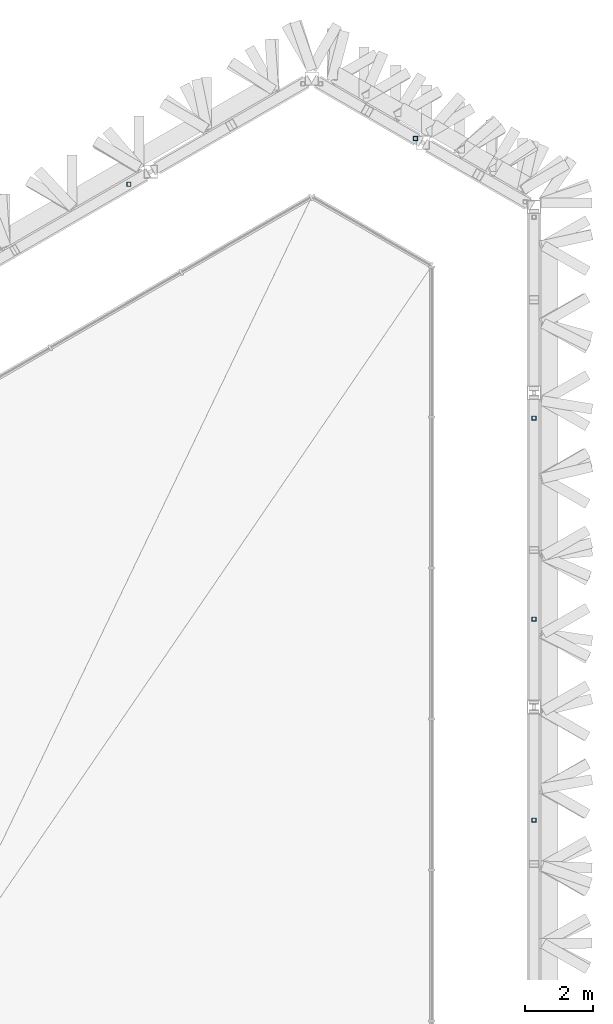
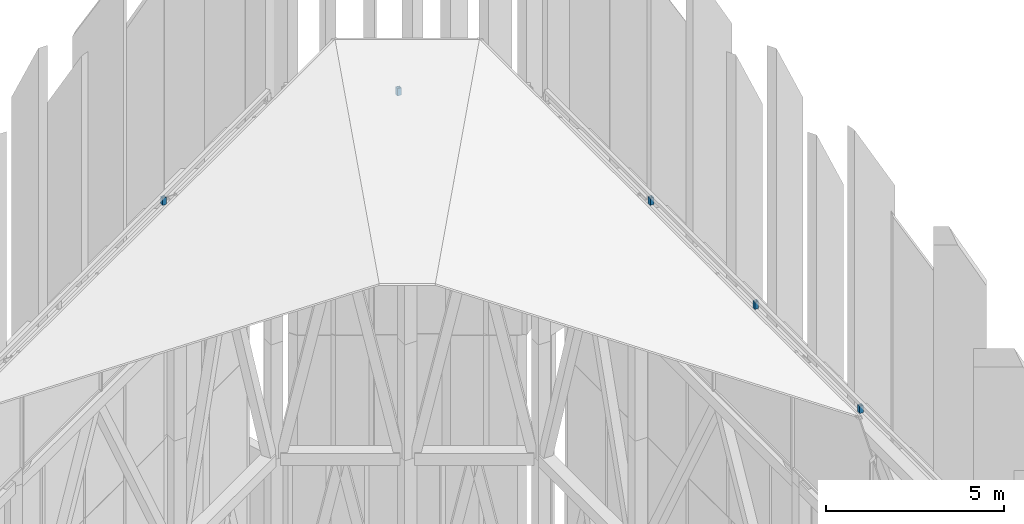
# One storey, part 24 of 45: 5 members.
"""IFC4 building model written with IfcOpenShell, lengths in metres."""

import ifcopenshell
import ifcopenshell.guid

model = None  # the IFC model being written
_history = None  # IfcOwnerHistory: only IFC2X3 demands one
_inside = {}  # id of a spatial element -> (the spatial element, [elements in it])
_under = {}  # id of a project, library or spatial element -> (it, [spatial elements below it])
_declared = {}  # id of a project -> (the project, [libraries it declares])
_typed = {}  # id of a type object -> (the type object, [elements of that type])
_made_of = {}  # id of a material, layer set ... -> (it, [elements and type objects made of it])


def new_model(schema):
    """Start an empty IFC model of exactly this schema.

    Asked for "IFC4X3", IfcOpenShell would pick the latest addendum, in which some entities
    have other attributes; the version numbers below select the first issue.
    IFC2X3 requires an IfcOwnerHistory on every rooted entity: one is made here for all.
    """
    global model, _history
    if schema == "IFC4X3":
        model = ifcopenshell.file(schema_version=(4, 3, 0, 0))
    else:
        model = ifcopenshell.file(schema=schema)
    _inside.clear()
    _under.clear()
    _declared.clear()
    _typed.clear()
    _made_of.clear()
    _history = None
    if model.schema == "IFC2X3":
        org = make("IfcOrganization", Name="unknown")
        user = make(
            "IfcPersonAndOrganization",
            ThePerson=make("IfcPerson", FamilyName="unknown"),
            TheOrganization=org,
        )
        app = make(
            "IfcApplication",
            ApplicationDeveloper=org,
            Version="unknown",
            ApplicationFullName="unknown",
            ApplicationIdentifier="unknown",
        )
        _history = make(
            "IfcOwnerHistory",
            OwningUser=user,
            OwningApplication=app,
            ChangeAction="ADDED",
            CreationDate=0,
        )
    return model


def make(cls, **values):
    """One entity of the class cls with the attributes given. An attribute that is None is left unset."""
    return model.create_entity(
        cls, **{name: value for name, value in values.items() if value is not None}
    )


def rooted(cls, **values):
    """An entity with a GlobalId (a new one), such as an element, a storey or a relation."""
    return make(cls, GlobalId=ifcopenshell.guid.new(), OwnerHistory=_history, **values)


def si_unit(unit_type, name, prefix=None):
    """IfcSIUnit, for example si_unit("LENGTHUNIT", "METRE", prefix="MILLI")."""
    return make("IfcSIUnit", UnitType=unit_type, Prefix=prefix, Name=name)


def assignment(units):
    """IfcUnitAssignment: the units of a project."""
    return None if units is None else make("IfcUnitAssignment", Units=units)


def point(xyz):
    """IfcCartesianPoint."""
    return None if xyz is None else make("IfcCartesianPoint", Coordinates=xyz)


def direction(xyz):
    """IfcDirection."""
    return None if xyz is None else make("IfcDirection", DirectionRatios=xyz)


def frame(location, z_axis=None, x_axis=None):
    """IfcAxis2Placement3D, a coordinate frame: its origin and axes. An axis left out is left unset."""
    return make(
        "IfcAxis2Placement3D",
        Location=point(location),
        Axis=direction(z_axis),
        RefDirection=direction(x_axis),
    )


def frame_2d(location, x_axis=None):
    """IfcAxis2Placement2D, a coordinate frame in the plane: its origin and x axis."""
    return make(
        "IfcAxis2Placement2D", Location=point(location), RefDirection=direction(x_axis)
    )


def origin():
    """The frame at (0, 0, 0) with its axes left unset."""
    return frame((0.0, 0.0, 0.0))


def origin_2d():
    """The frame at (0, 0) in the plane with its x axis left unset."""
    return frame_2d((0.0, 0.0))


def place(relative_to, where):
    """IfcLocalPlacement: puts the frame where relative to a parent placement (None: the world)."""
    return make(
        "IfcLocalPlacement", PlacementRelTo=relative_to, RelativePlacement=where
    )


def context(
    kind, dimensions, precision=None, world=None, true_north=None, identifier=None
):
    """IfcGeometricRepresentationContext, for example the 3D "Model" context."""
    return make(
        "IfcGeometricRepresentationContext",
        ContextIdentifier=identifier,
        ContextType=kind,
        CoordinateSpaceDimension=dimensions,
        Precision=precision,
        WorldCoordinateSystem=world,
        TrueNorth=true_north,
    )


def subcontext(parent, identifier, kind, view, scale=None):
    """IfcGeometricRepresentationSubContext, for example "Body" below "Model"."""
    return make(
        "IfcGeometricRepresentationSubContext",
        ContextIdentifier=identifier,
        ContextType=kind,
        ParentContext=parent,
        TargetScale=scale,
        TargetView=view,
    )


def project(units=None, contexts=None):
    """IfcProject with its units and contexts."""
    return rooted(
        "IfcProject",
        Name="project",
        RepresentationContexts=contexts,
        UnitsInContext=assignment(units),
    )


def spatial(cls, under=None, at=None, **own):
    """A site, building, storey or space (cls), placed at a placement, below another one or the project."""
    s = rooted(cls, ObjectPlacement=at, **own)
    if under is not None:
        _under.setdefault(under.id(), (under, []))[1].append(s)
    return s


def profile(cls, at=None, kind="AREA", **sizes):
    """A parametric profile (cls). Its sizes go by their IFC names, for example OverallWidth=200.0."""
    return make(cls, ProfileType=kind, Position=at, **sizes)


def hollow_rectangle(**sizes):
    """IfcRectangleHollowProfileDef."""
    return profile("IfcRectangleHollowProfileDef", **sizes)


def extrude(swept, where, along, depth):
    """IfcExtrudedAreaSolid: the profile swept, set in the frame where, extruded along a direction by depth."""
    return make(
        "IfcExtrudedAreaSolid",
        SweptArea=swept,
        Position=where,
        ExtrudedDirection=direction(along),
        Depth=depth,
    )


def shape(context_of_items, identifier, shape_type, items):
    """IfcShapeRepresentation: the items that make up one representation, for example the "Body"."""
    return make(
        "IfcShapeRepresentation",
        ContextOfItems=context_of_items,
        RepresentationIdentifier=identifier,
        RepresentationType=shape_type,
        Items=items,
    )


def material(Name=None, Category=None):
    """IfcMaterial."""
    return make("IfcMaterial", Name=Name, Category=Category)


def material_profile(
    of_material, cross_section, Name=None, Category=None, Priority=None
):
    """IfcMaterialProfile: a cross section and its material."""
    return make(
        "IfcMaterialProfile",
        Name=Name,
        Material=of_material,
        Profile=cross_section,
        Priority=Priority,
        Category=Category,
    )


def profile_set(profiles, Name=None, composite=None):
    """IfcMaterialProfileSet."""
    return make(
        "IfcMaterialProfileSet",
        Name=Name,
        MaterialProfiles=profiles,
        CompositeProfile=composite,
    )


def made_of(thing, what):
    """Note that an element or type object is made of a material, layer set ...; save() writes the relation."""
    if what is not None:
        _made_of.setdefault(what.id(), (what, []))[1].append(thing)
    return thing


def type_object(cls, material=None, **own):
    """A type object (cls), such as IfcWallType, which elements share."""
    return made_of(rooted(cls, **own), material)


def element(
    cls,
    number,
    at=None,
    inside=None,
    cuts=None,
    type_object=None,
    material=None,
    context=None,
    identifier="Body",
    shape_type=None,
    held_by="IfcProductDefinitionShape",
    body=None,
    shapes=None,
    **own,
):
    """One element of the class cls, such as IfcWall. Its Tag is "e" and its number.

    at: its placement. inside: the storey or other place that contains it. cuts: it is an
    opening in that element (IfcRelVoidsElement). A single representation is given by context,
    identifier, shape_type and body (its items); several are given by shapes. held_by: the class
    of the entity that holds the representations. save() writes the other relations.
    """
    e = rooted(cls, Tag="e%d" % number, ObjectPlacement=at, **own)
    if body is not None:
        shapes = [shape(context, identifier, shape_type, body)]
    if shapes is not None:
        e.Representation = make(held_by, Representations=shapes)
    if inside is not None:
        _inside.setdefault(inside.id(), (inside, []))[1].append(e)
    if cuts is not None:
        rooted(
            "IfcRelVoidsElement", RelatingBuildingElement=cuts, RelatedOpeningElement=e
        )
    if type_object is not None:
        _typed.setdefault(type_object.id(), (type_object, []))[1].append(e)
    return made_of(e, material)


def aggregate(whole, parts):
    """IfcRelAggregates: a whole, such as a stair, and the parts it consists of."""
    return rooted("IfcRelAggregates", RelatingObject=whole, RelatedObjects=parts)


def save(model, path):
    """Write the relations noted so far, then the file.

    IfcRelAggregates (storeys below a building ...), IfcRelContainedInSpatialStructure (elements
    in a storey), IfcRelDefinesByType, IfcRelAssociatesMaterial and IfcRelDeclares: one each for
    every whole, place, type object, material and project.
    """
    for whole, parts in _under.values():
        aggregate(whole, parts)
    for where, things in _inside.values():
        rooted(
            "IfcRelContainedInSpatialStructure",
            RelatedElements=things,
            RelatingStructure=where,
        )
    for kind, things in _typed.values():
        rooted("IfcRelDefinesByType", RelatedObjects=things, RelatingType=kind)
    for what, things in _made_of.values():
        rooted("IfcRelAssociatesMaterial", RelatedObjects=things, RelatingMaterial=what)
    for by, libraries in _declared.values():
        rooted("IfcRelDeclares", RelatingContext=by, RelatedDefinitions=libraries)
    model.write(path)


model = new_model("IFC4")

# Units and contexts
model_context = context("Model", 3, precision=1e-05, world=origin(), true_north=direction((0.0, 1.0)))
body_context = subcontext(model_context, "Body", "Model", "MODEL_VIEW")
ifc_project = project(units=[si_unit("LENGTHUNIT", "METRE"), si_unit("AREAUNIT", "SQUARE_METRE"), si_unit("VOLUMEUNIT", "CUBIC_METRE"), si_unit("PLANEANGLEUNIT", "RADIAN"), si_unit("MASSUNIT", "GRAM", prefix="KILO")], contexts=[model_context])

# Site, building, storey
site_placement = place(None, origin())
site = spatial("IfcSite", under=ifc_project, at=site_placement, CompositionType="ELEMENT")
building_placement = place(site_placement, origin())
building = spatial("IfcBuilding", under=site, at=building_placement, Name="Jabali Bay Hotel Tower and Convention Centre", CompositionType="ELEMENT")
storey_placement = place(building_placement, frame((0.0, 0.0, 322.39990234375)))
storey = spatial("IfcBuildingStorey", under=building, at=storey_placement, Name="Crown", CompositionType="ELEMENT", Elevation=322.39990234375)

# Members
ifc_material = material(Name="Steel Q355B", Category="steel")
ifc_material_profile = material_profile(ifc_material, hollow_rectangle(XDim=0.1201171875, YDim=0.1201171875, WallThickness=0.008056640625, at=origin_2d()), Name="BMU rail post")
ifc_profile_set = profile_set([ifc_material_profile], Name="Steel Q355B")
member_type = type_object("IfcMemberType", Name="BMU rail post", PredefinedType="USERDEFINED", material=ifc_profile_set)
for number, where, z_axis, x_axis, name in (
    (1, (93.148681640625, 85.900390625, 28.35009765625), (0.0, 0.0, 1.0), (1.0, 0.0, 0.0), "BMU rail post 1.6"),
    (2, (93.148681640625, 91.801025390625, 28.35009765625), (0.0, 0.0, 1.0), (1.0, 0.0, 0.0), "BMU rail post 1.7"),
    (3, (93.148681640625, 97.701416015625, 28.35009765625), (0.0, 0.0, 1.0), (1.0, 0.0, 0.0), "BMU rail post 1.8"),
    (4, (89.670654296875, 105.91015625, 28.35009765625), (0.0, 0.0, 1.0), (1.0, 0.0, 0.0), "BMU rail post 2.2"),
    (5, (81.255615234375, 104.568115234375, 28.35009765625), (0.0, 0.0, 1.0), (1.0, 0.0, 0.0), "BMU rail post 3.2"),
):
    element("IfcMember", number, at=place(storey_placement, frame(where, z_axis=z_axis, x_axis=x_axis)), inside=storey, type_object=member_type, Name=name, ObjectType="BMU RAIL", PredefinedType="USERDEFINED", context=body_context, shape_type="SweptSolid", body=[
        extrude(hollow_rectangle(XDim=0.1201171875, YDim=0.1201171875, WallThickness=0.008056640625, at=origin_2d()), origin(), (0.0, 0.0, 1.0), 0.25),
    ])

save(model, "model.ifc")
